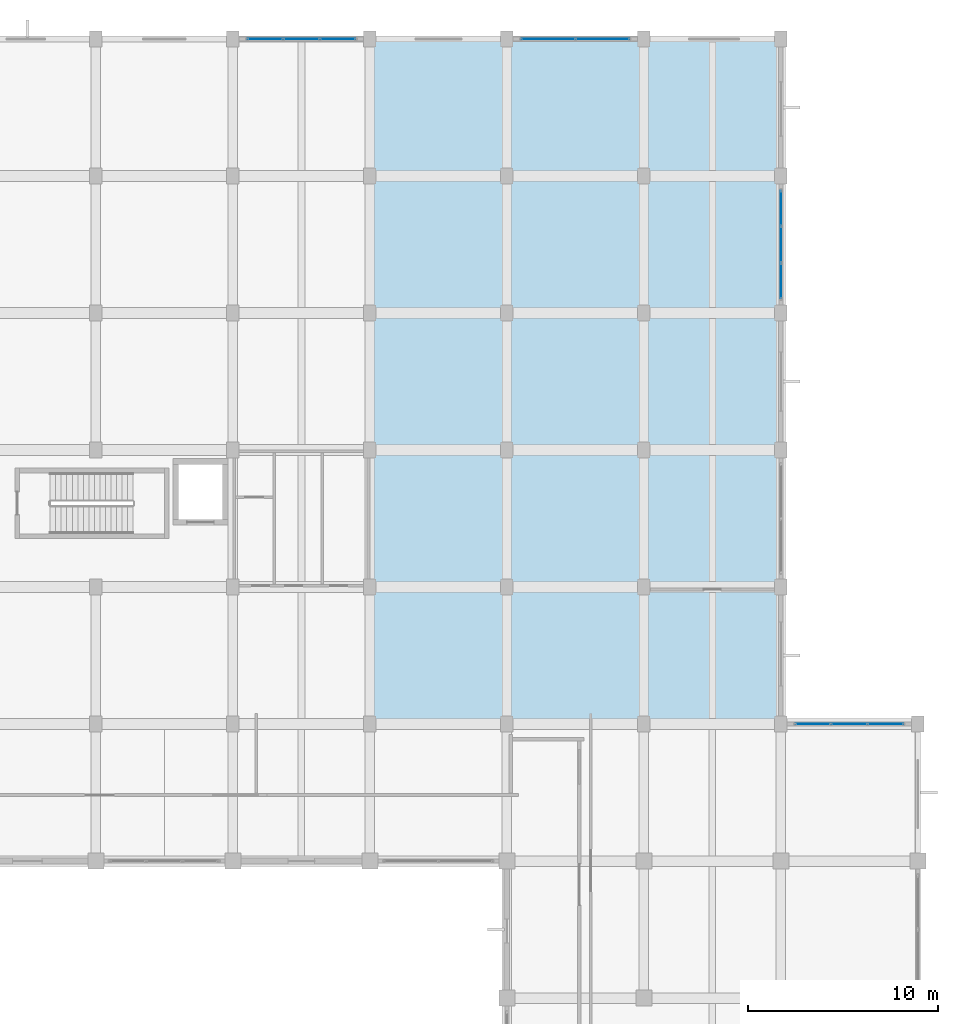
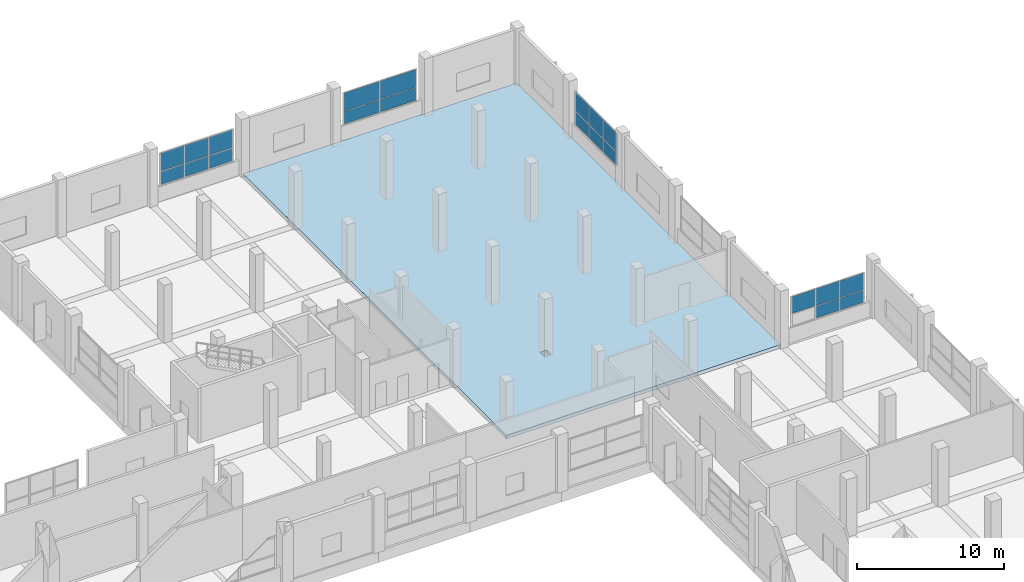
# One storey, part 151 of 181: 21 plates, 1 slab, 4 elements without a shape of their own.
"""IFC4 building model written with IfcOpenShell, lengths in metres."""

import ifcopenshell
import ifcopenshell.guid

model = None  # the IFC model being written
_history = None  # IfcOwnerHistory: only IFC2X3 demands one
_inside = {}  # id of a spatial element -> (the spatial element, [elements in it])
_under = {}  # id of a project, library or spatial element -> (it, [spatial elements below it])
_declared = {}  # id of a project -> (the project, [libraries it declares])
_typed = {}  # id of a type object -> (the type object, [elements of that type])
_made_of = {}  # id of a material, layer set ... -> (it, [elements and type objects made of it])


def new_model(schema):
    """Start an empty IFC model of exactly this schema.

    Asked for "IFC4X3", IfcOpenShell would pick the latest addendum, in which some entities
    have other attributes; the version numbers below select the first issue.
    IFC2X3 requires an IfcOwnerHistory on every rooted entity: one is made here for all.
    """
    global model, _history
    if schema == "IFC4X3":
        model = ifcopenshell.file(schema_version=(4, 3, 0, 0))
    else:
        model = ifcopenshell.file(schema=schema)
    _inside.clear()
    _under.clear()
    _declared.clear()
    _typed.clear()
    _made_of.clear()
    _history = None
    if model.schema == "IFC2X3":
        org = make("IfcOrganization", Name="unknown")
        user = make(
            "IfcPersonAndOrganization",
            ThePerson=make("IfcPerson", FamilyName="unknown"),
            TheOrganization=org,
        )
        app = make(
            "IfcApplication",
            ApplicationDeveloper=org,
            Version="unknown",
            ApplicationFullName="unknown",
            ApplicationIdentifier="unknown",
        )
        _history = make(
            "IfcOwnerHistory",
            OwningUser=user,
            OwningApplication=app,
            ChangeAction="ADDED",
            CreationDate=0,
        )
    return model


def make(cls, **values):
    """One entity of the class cls with the attributes given. An attribute that is None is left unset."""
    return model.create_entity(
        cls, **{name: value for name, value in values.items() if value is not None}
    )


def rooted(cls, **values):
    """An entity with a GlobalId (a new one), such as an element, a storey or a relation."""
    return make(cls, GlobalId=ifcopenshell.guid.new(), OwnerHistory=_history, **values)


def si_unit(unit_type, name, prefix=None):
    """IfcSIUnit, for example si_unit("LENGTHUNIT", "METRE", prefix="MILLI")."""
    return make("IfcSIUnit", UnitType=unit_type, Prefix=prefix, Name=name)


def assignment(units):
    """IfcUnitAssignment: the units of a project."""
    return None if units is None else make("IfcUnitAssignment", Units=units)


def point(xyz):
    """IfcCartesianPoint."""
    return None if xyz is None else make("IfcCartesianPoint", Coordinates=xyz)


def direction(xyz):
    """IfcDirection."""
    return None if xyz is None else make("IfcDirection", DirectionRatios=xyz)


def frame(location, z_axis=None, x_axis=None):
    """IfcAxis2Placement3D, a coordinate frame: its origin and axes. An axis left out is left unset."""
    return make(
        "IfcAxis2Placement3D",
        Location=point(location),
        Axis=direction(z_axis),
        RefDirection=direction(x_axis),
    )


def frame_2d(location, x_axis=None):
    """IfcAxis2Placement2D, a coordinate frame in the plane: its origin and x axis."""
    return make(
        "IfcAxis2Placement2D", Location=point(location), RefDirection=direction(x_axis)
    )


def origin():
    """The frame at (0, 0, 0) with its axes left unset."""
    return frame((0.0, 0.0, 0.0))


def origin_2d():
    """The frame at (0, 0) in the plane with its x axis left unset."""
    return frame_2d((0.0, 0.0))


def place(relative_to, where):
    """IfcLocalPlacement: puts the frame where relative to a parent placement (None: the world)."""
    return make(
        "IfcLocalPlacement", PlacementRelTo=relative_to, RelativePlacement=where
    )


def context(
    kind, dimensions, precision=None, world=None, true_north=None, identifier=None
):
    """IfcGeometricRepresentationContext, for example the 3D "Model" context."""
    return make(
        "IfcGeometricRepresentationContext",
        ContextIdentifier=identifier,
        ContextType=kind,
        CoordinateSpaceDimension=dimensions,
        Precision=precision,
        WorldCoordinateSystem=world,
        TrueNorth=true_north,
    )


def subcontext(parent, identifier, kind, view, scale=None):
    """IfcGeometricRepresentationSubContext, for example "Body" below "Model"."""
    return make(
        "IfcGeometricRepresentationSubContext",
        ContextIdentifier=identifier,
        ContextType=kind,
        ParentContext=parent,
        TargetScale=scale,
        TargetView=view,
    )


def project(units=None, contexts=None):
    """IfcProject with its units and contexts."""
    return rooted(
        "IfcProject",
        Name="project",
        RepresentationContexts=contexts,
        UnitsInContext=assignment(units),
    )


def spatial(cls, under=None, at=None, **own):
    """A site, building, storey or space (cls), placed at a placement, below another one or the project."""
    s = rooted(cls, ObjectPlacement=at, **own)
    if under is not None:
        _under.setdefault(under.id(), (under, []))[1].append(s)
    return s


def polyline(points):
    """IfcPolyline through the points."""
    return make("IfcPolyline", Points=[point(p) for p in points])


def profile(cls, at=None, kind="AREA", **sizes):
    """A parametric profile (cls). Its sizes go by their IFC names, for example OverallWidth=200.0."""
    return make(cls, ProfileType=kind, Position=at, **sizes)


def rectangle(**sizes):
    """IfcRectangleProfileDef."""
    return profile("IfcRectangleProfileDef", **sizes)


def outline(outer, holes=None, kind="AREA"):
    """IfcArbitraryClosedProfileDef: a profile drawn as a closed curve; with holes, ...WithVoids."""
    if holes is None:
        return make("IfcArbitraryClosedProfileDef", ProfileType=kind, OuterCurve=outer)
    return make(
        "IfcArbitraryProfileDefWithVoids",
        ProfileType=kind,
        OuterCurve=outer,
        InnerCurves=holes,
    )


def extrude(swept, where, along, depth):
    """IfcExtrudedAreaSolid: the profile swept, set in the frame where, extruded along a direction by depth."""
    return make(
        "IfcExtrudedAreaSolid",
        SweptArea=swept,
        Position=where,
        ExtrudedDirection=direction(along),
        Depth=depth,
    )


def shape(context_of_items, identifier, shape_type, items):
    """IfcShapeRepresentation: the items that make up one representation, for example the "Body"."""
    return make(
        "IfcShapeRepresentation",
        ContextOfItems=context_of_items,
        RepresentationIdentifier=identifier,
        RepresentationType=shape_type,
        Items=items,
    )


def material(Name=None, Category=None):
    """IfcMaterial."""
    return make("IfcMaterial", Name=Name, Category=Category)


def layer(
    of_material, thickness, ventilated=None, Name=None, Category=None, Priority=None
):
    """IfcMaterialLayer: one layer of a wall or slab, of a material (None: an air gap)."""
    return make(
        "IfcMaterialLayer",
        Material=of_material,
        LayerThickness=thickness,
        IsVentilated=ventilated,
        Name=Name,
        Category=Category,
        Priority=Priority,
    )


def layer_set(layers, Name=None):
    """IfcMaterialLayerSet."""
    return make("IfcMaterialLayerSet", MaterialLayers=layers, LayerSetName=Name)


def made_of(thing, what):
    """Note that an element or type object is made of a material, layer set ...; save() writes the relation."""
    if what is not None:
        _made_of.setdefault(what.id(), (what, []))[1].append(thing)
    return thing


def type_object(cls, material=None, **own):
    """A type object (cls), such as IfcWallType, which elements share."""
    return made_of(rooted(cls, **own), material)


def element(
    cls,
    number,
    at=None,
    inside=None,
    cuts=None,
    type_object=None,
    material=None,
    context=None,
    identifier="Body",
    shape_type=None,
    held_by="IfcProductDefinitionShape",
    body=None,
    shapes=None,
    **own,
):
    """One element of the class cls, such as IfcWall. Its Tag is "e" and its number.

    at: its placement. inside: the storey or other place that contains it. cuts: it is an
    opening in that element (IfcRelVoidsElement). A single representation is given by context,
    identifier, shape_type and body (its items); several are given by shapes. held_by: the class
    of the entity that holds the representations. save() writes the other relations.
    """
    e = rooted(cls, Tag="e%d" % number, ObjectPlacement=at, **own)
    if body is not None:
        shapes = [shape(context, identifier, shape_type, body)]
    if shapes is not None:
        e.Representation = make(held_by, Representations=shapes)
    if inside is not None:
        _inside.setdefault(inside.id(), (inside, []))[1].append(e)
    if cuts is not None:
        rooted(
            "IfcRelVoidsElement", RelatingBuildingElement=cuts, RelatedOpeningElement=e
        )
    if type_object is not None:
        _typed.setdefault(type_object.id(), (type_object, []))[1].append(e)
    return made_of(e, material)


def aggregate(whole, parts):
    """IfcRelAggregates: a whole, such as a stair, and the parts it consists of."""
    return rooted("IfcRelAggregates", RelatingObject=whole, RelatedObjects=parts)


def save(model, path):
    """Write the relations noted so far, then the file.

    IfcRelAggregates (storeys below a building ...), IfcRelContainedInSpatialStructure (elements
    in a storey), IfcRelDefinesByType, IfcRelAssociatesMaterial and IfcRelDeclares: one each for
    every whole, place, type object, material and project.
    """
    for whole, parts in _under.values():
        aggregate(whole, parts)
    for where, things in _inside.values():
        rooted(
            "IfcRelContainedInSpatialStructure",
            RelatedElements=things,
            RelatingStructure=where,
        )
    for kind, things in _typed.values():
        rooted("IfcRelDefinesByType", RelatedObjects=things, RelatingType=kind)
    for what, things in _made_of.values():
        rooted("IfcRelAssociatesMaterial", RelatedObjects=things, RelatingMaterial=what)
    for by, libraries in _declared.values():
        rooted("IfcRelDeclares", RelatingContext=by, RelatedDefinitions=libraries)
    model.write(path)


model = new_model("IFC4")

# Units and contexts
model_context = context("Model", 3, precision=1e-05, world=origin(), true_north=direction((0.0, 1.0)))
body_context = subcontext(model_context, "Body", "Model", "MODEL_VIEW")
ifc_project = project(units=[si_unit("LENGTHUNIT", "METRE"), si_unit("AREAUNIT", "SQUARE_METRE"), si_unit("VOLUMEUNIT", "CUBIC_METRE"), si_unit("PLANEANGLEUNIT", "RADIAN"), si_unit("MASSUNIT", "GRAM", prefix="KILO")], contexts=[model_context])

# Site, building, storey
site_placement = place(None, origin())
site = spatial("IfcSite", under=ifc_project, at=site_placement, CompositionType="ELEMENT")
building_placement = place(site_placement, origin())
building = spatial("IfcBuilding", under=site, at=building_placement, Name="Seraya Terrace Polytechnic", CompositionType="ELEMENT")
storey_placement = place(building_placement, frame((0.0, 0.0, 4.800048828125)))
storey = spatial("IfcBuildingStorey", under=building, at=storey_placement, Name="L01", CompositionType="ELEMENT", Elevation=4.800048828125)

# Curtain wall, plates
ifc_material_1 = material(Name="Anodised aluminium EN AW-6063 T6", Category="aluminium")
ifc_layer_1 = layer(ifc_material_1, 0.179931640625, Name="CW-19")
ifc_layer_set_1 = layer_set([ifc_layer_1], Name="Anodised aluminium EN AW-6063 T6")
curtain_wall_type_1 = type_object("IfcCurtainWallType", Name="CW-19", PredefinedType="NOTDEFINED", material=ifc_layer_set_1)
curtain_wall_1_placement = place(storey_placement, origin())
curtain_wall_1 = element("IfcCurtainWall", 1, at=curtain_wall_1_placement, inside=storey, type_object=curtain_wall_type_1, Name="Unitised curtain wall CW-19 (CW-L01-019)", PredefinedType="NOTDEFINED")
ifc_material_2 = material(Name="Laminated solar-control Low-E double glazing", Category="glass")
ifc_layer_2 = layer(ifc_material_2, 0.028076171875, Name="CWP-01")
ifc_layer_set_2 = layer_set([ifc_layer_2], Name="Laminated solar-control Low-E double glazing")
plate_type_1 = type_object("IfcPlateType", Name="CWP-01", PredefinedType="CURTAIN_PANEL", material=ifc_layer_set_2)
plate_1_placement = place(storey_placement, frame((158.39990234375, 106.3037109375, 1.2998046875), z_axis=(0.0, 0.0, 1.0), x_axis=(0.0, -1.0, 0.0)))
plate_1 = element("IfcPlate", 2, at=plate_1_placement, type_object=plate_type_1, Name="CW-19 panel 1.1", PredefinedType="CURTAIN_PANEL", context=body_context, shape_type="SweptSolid", body=[
    extrude(rectangle(XDim=1.822509765625, YDim=0.028076171875, at=origin_2d()), origin(), (0.0, 0.0, 1.0), 1.094482421875),
])
plate_2_placement = place(storey_placement, frame((158.39990234375, 106.3037109375, 2.4541015625), z_axis=(0.0, 0.0, 1.0), x_axis=(0.0, -1.0, 0.0)))
plate_2 = element("IfcPlate", 3, at=plate_2_placement, type_object=plate_type_1, Name="CW-19 panel 1.2", PredefinedType="CURTAIN_PANEL", context=body_context, shape_type="SweptSolid", body=[
    extrude(rectangle(XDim=1.822509765625, YDim=0.028076171875, at=origin_2d()), origin(), (0.0, 0.0, 1.0), 1.545654296875),
])
plate_3_placement = place(storey_placement, frame((158.39990234375, 104.39990234375, 1.2998046875), z_axis=(0.0, 0.0, 1.0), x_axis=(0.0, -1.0, 0.0)))
plate_3 = element("IfcPlate", 4, at=plate_3_placement, type_object=plate_type_1, Name="CW-19 panel 2.1", PredefinedType="CURTAIN_PANEL", context=body_context, shape_type="SweptSolid", body=[
    extrude(rectangle(XDim=1.85498046875, YDim=0.028076171875, at=origin_2d()), origin(), (0.0, 0.0, 1.0), 1.094482421875),
])
plate_4_placement = place(storey_placement, frame((158.39990234375, 104.39990234375, 2.4541015625), z_axis=(0.0, 0.0, 1.0), x_axis=(0.0, -1.0, 0.0)))
plate_4 = element("IfcPlate", 5, at=plate_4_placement, type_object=plate_type_1, Name="CW-19 panel 2.2", PredefinedType="CURTAIN_PANEL", context=body_context, shape_type="SweptSolid", body=[
    extrude(rectangle(XDim=1.85498046875, YDim=0.028076171875, at=origin_2d()), origin(), (0.0, 0.0, 1.0), 1.545654296875),
])
plate_5_placement = place(storey_placement, frame((158.39990234375, 102.496337890625, 1.2998046875), z_axis=(0.0, 0.0, 1.0), x_axis=(0.0, -1.0, 0.0)))
plate_5 = element("IfcPlate", 6, at=plate_5_placement, type_object=plate_type_1, Name="CW-19 panel 3.1", PredefinedType="CURTAIN_PANEL", context=body_context, shape_type="SweptSolid", body=[
    extrude(rectangle(XDim=1.822509765625, YDim=0.028076171875, at=origin_2d()), origin(), (0.0, 0.0, 1.0), 1.094482421875),
])
plate_6_placement = place(storey_placement, frame((158.39990234375, 102.496337890625, 2.4541015625), z_axis=(0.0, 0.0, 1.0), x_axis=(0.0, -1.0, 0.0)))
plate_6 = element("IfcPlate", 7, at=plate_6_placement, type_object=plate_type_1, Name="CW-19 panel 3.2", PredefinedType="CURTAIN_PANEL", context=body_context, shape_type="SweptSolid", body=[
    extrude(rectangle(XDim=1.822509765625, YDim=0.028076171875, at=origin_2d()), origin(), (0.0, 0.0, 1.0), 1.545654296875),
])
aggregate(curtain_wall_1, [plate_1, plate_2, plate_3, plate_4, plate_5, plate_6])

ifc_layer_3 = layer(ifc_material_1, 0.179931640625, Name="CW-17")
ifc_layer_set_3 = layer_set([ifc_layer_3], Name="Anodised aluminium EN AW-6063 T6")
curtain_wall_type_2 = type_object("IfcCurtainWallType", Name="CW-17", PredefinedType="NOTDEFINED", material=ifc_layer_set_3)
curtain_wall_2_placement = place(storey_placement, origin())
curtain_wall_2 = element("IfcCurtainWall", 8, at=curtain_wall_2_placement, inside=storey, type_object=curtain_wall_type_2, Name="Unitised curtain wall CW-17 (CW-L01-017)", PredefinedType="NOTDEFINED")
ifc_layer_4 = layer(ifc_material_2, 0.031982421875, Name="CWP-02")
ifc_layer_set_4 = layer_set([ifc_layer_4], Name="Laminated solar-control Low-E double glazing")
plate_type_2 = type_object("IfcPlateType", Name="CWP-02", PredefinedType="CURTAIN_PANEL", material=ifc_layer_set_4)
plate_7_placement = place(storey_placement, frame((131.294921875, 115.199951171875, 1.2998046875), z_axis=(0.0, 0.0, 1.0), x_axis=(1.0, 0.0, 0.0)))
plate_7 = element("IfcPlate", 9, at=plate_7_placement, type_object=plate_type_2, Name="CW-17 panel 1.1", PredefinedType="CURTAIN_PANEL", context=body_context, shape_type="SweptSolid", body=[
    extrude(rectangle(XDim=1.830078125, YDim=0.031982421875, at=origin_2d()), origin(), (0.0, 0.0, 1.0), 1.052490234375),
])
plate_8_placement = place(storey_placement, frame((131.294921875, 115.199951171875, 2.41259765625), z_axis=(0.0, 0.0, 1.0), x_axis=(1.0, 0.0, 0.0)))
plate_8 = element("IfcPlate", 10, at=plate_8_placement, type_object=plate_type_2, Name="CW-17 panel 1.2", PredefinedType="CURTAIN_PANEL", context=body_context, shape_type="SweptSolid", body=[
    extrude(rectangle(XDim=1.830078125, YDim=0.031982421875, at=origin_2d()), origin(), (0.0, 0.0, 1.0), 1.487548828125),
])
plate_9_placement = place(storey_placement, frame((133.199951171875, 115.199951171875, 1.2998046875), z_axis=(0.0, 0.0, 1.0), x_axis=(1.0, 0.0, 0.0)))
plate_9 = element("IfcPlate", 11, at=plate_9_placement, type_object=plate_type_2, Name="CW-17 panel 2.1", PredefinedType="CURTAIN_PANEL", context=body_context, shape_type="SweptSolid", body=[
    extrude(rectangle(XDim=1.860107421875, YDim=0.031982421875, at=origin_2d()), origin(), (0.0, 0.0, 1.0), 1.052490234375),
])
plate_10_placement = place(storey_placement, frame((133.199951171875, 115.199951171875, 2.41259765625), z_axis=(0.0, 0.0, 1.0), x_axis=(1.0, 0.0, 0.0)))
plate_10 = element("IfcPlate", 12, at=plate_10_placement, type_object=plate_type_2, Name="CW-17 panel 2.2", PredefinedType="CURTAIN_PANEL", context=body_context, shape_type="SweptSolid", body=[
    extrude(rectangle(XDim=1.860107421875, YDim=0.031982421875, at=origin_2d()), origin(), (0.0, 0.0, 1.0), 1.487548828125),
])
plate_11_placement = place(storey_placement, frame((135.10498046875, 115.199951171875, 1.2998046875), z_axis=(0.0, 0.0, 1.0), x_axis=(1.0, 0.0, 0.0)))
plate_11 = element("IfcPlate", 13, at=plate_11_placement, type_object=plate_type_2, Name="CW-17 panel 3.1", PredefinedType="CURTAIN_PANEL", context=body_context, shape_type="SweptSolid", body=[
    extrude(rectangle(XDim=1.830078125, YDim=0.031982421875, at=origin_2d()), origin(), (0.0, 0.0, 1.0), 1.052490234375),
])
plate_12_placement = place(storey_placement, frame((135.10498046875, 115.199951171875, 2.41259765625), z_axis=(0.0, 0.0, 1.0), x_axis=(1.0, 0.0, 0.0)))
plate_12 = element("IfcPlate", 14, at=plate_12_placement, type_object=plate_type_2, Name="CW-17 panel 3.2", PredefinedType="CURTAIN_PANEL", context=body_context, shape_type="SweptSolid", body=[
    extrude(rectangle(XDim=1.830078125, YDim=0.031982421875, at=origin_2d()), origin(), (0.0, 0.0, 1.0), 1.487548828125),
])
aggregate(curtain_wall_2, [plate_7, plate_8, plate_9, plate_10, plate_11, plate_12])

ifc_layer_5 = layer(ifc_material_1, 0.179931640625, Name="CW-18")
ifc_layer_set_5 = layer_set([ifc_layer_5], Name="Anodised aluminium EN AW-6063 T6")
curtain_wall_type_3 = type_object("IfcCurtainWallType", Name="CW-18", PredefinedType="NOTDEFINED", material=ifc_layer_set_5)
curtain_wall_3_placement = place(storey_placement, origin())
curtain_wall_3 = element("IfcCurtainWall", 15, at=curtain_wall_3_placement, inside=storey, type_object=curtain_wall_type_3, Name="Unitised curtain wall CW-18 (CW-L01-018)", PredefinedType="NOTDEFINED")
ifc_layer_6 = layer(ifc_material_2, 0.035888671875, Name="CWP-03")
ifc_layer_set_6 = layer_set([ifc_layer_6], Name="Laminated solar-control Low-E double glazing")
plate_type_3 = type_object("IfcPlateType", Name="CWP-03", PredefinedType="CURTAIN_PANEL", material=ifc_layer_set_6)
plate_13_placement = place(storey_placement, frame((146.175048828125, 115.199951171875, 1.294921875), z_axis=(0.0, 0.0, 1.0), x_axis=(1.0, 0.0, 0.0)))
plate_13 = element("IfcPlate", 16, at=plate_13_placement, type_object=plate_type_3, Name="CW-18 panel 1.1", PredefinedType="CURTAIN_PANEL", context=body_context, shape_type="SweptSolid", body=[
    extrude(rectangle(XDim=2.7900390625, YDim=0.035888671875, at=origin_2d()), origin(), (0.0, 0.0, 1.0), 1.043212890625),
])
plate_14_placement = place(storey_placement, frame((146.175048828125, 115.199951171875, 2.39306640625), z_axis=(0.0, 0.0, 1.0), x_axis=(1.0, 0.0, 0.0)))
plate_14 = element("IfcPlate", 17, at=plate_14_placement, type_object=plate_type_3, Name="CW-18 panel 1.2", PredefinedType="CURTAIN_PANEL", context=body_context, shape_type="SweptSolid", body=[
    extrude(rectangle(XDim=2.7900390625, YDim=0.035888671875, at=origin_2d()), origin(), (0.0, 0.0, 1.0), 1.471923828125),
])
plate_15_placement = place(storey_placement, frame((149.02490234375, 115.199951171875, 1.294921875), z_axis=(0.0, 0.0, 1.0), x_axis=(1.0, 0.0, 0.0)))
plate_15 = element("IfcPlate", 18, at=plate_15_placement, type_object=plate_type_3, Name="CW-18 panel 2.1", PredefinedType="CURTAIN_PANEL", context=body_context, shape_type="SweptSolid", body=[
    extrude(rectangle(XDim=2.7900390625, YDim=0.035888671875, at=origin_2d()), origin(), (0.0, 0.0, 1.0), 1.043212890625),
])
plate_16_placement = place(storey_placement, frame((149.02490234375, 115.199951171875, 2.39306640625), z_axis=(0.0, 0.0, 1.0), x_axis=(1.0, 0.0, 0.0)))
plate_16 = element("IfcPlate", 19, at=plate_16_placement, type_object=plate_type_3, Name="CW-18 panel 2.2", PredefinedType="CURTAIN_PANEL", context=body_context, shape_type="SweptSolid", body=[
    extrude(rectangle(XDim=2.7900390625, YDim=0.035888671875, at=origin_2d()), origin(), (0.0, 0.0, 1.0), 1.471923828125),
])
aggregate(curtain_wall_3, [plate_13, plate_14, plate_15, plate_16])

ifc_layer_7 = layer(ifc_material_1, 0.179931640625, Name="CW-21")
ifc_layer_set_7 = layer_set([ifc_layer_7], Name="Anodised aluminium EN AW-6063 T6")
curtain_wall_type_4 = type_object("IfcCurtainWallType", Name="CW-21", PredefinedType="NOTDEFINED", material=ifc_layer_set_7)
curtain_wall_4_placement = place(storey_placement, origin())
curtain_wall_4 = element("IfcCurtainWall", 20, at=curtain_wall_4_placement, inside=storey, type_object=curtain_wall_type_4, Name="Unitised curtain wall CW-21 (CW-L01-021)", PredefinedType="NOTDEFINED")
plate_17_placement = place(storey_placement, frame((160.094970703125, 79.199951171875, 2.334228515625), z_axis=(0.0, 0.0, 1.0), x_axis=(1.0, 0.0, 0.0)))
plate_17 = element("IfcPlate", 21, at=plate_17_placement, type_object=plate_type_3, Name="CW-21 panel 1.2", PredefinedType="CURTAIN_PANEL", context=body_context, shape_type="SweptSolid", body=[
    extrude(rectangle(XDim=1.830078125, YDim=0.035888671875, at=origin_2d()), origin(), (0.0, 0.0, 1.0), 1.390625),
])
plate_18_placement = place(storey_placement, frame((162.0, 79.199951171875, 1.294921875), z_axis=(0.0, 0.0, 1.0), x_axis=(1.0, 0.0, 0.0)))
plate_18 = element("IfcPlate", 22, at=plate_18_placement, type_object=plate_type_3, Name="CW-21 panel 2.1", PredefinedType="CURTAIN_PANEL", context=body_context, shape_type="SweptSolid", body=[
    extrude(rectangle(XDim=1.860107421875, YDim=0.035888671875, at=origin_2d()), origin(), (0.0, 0.0, 1.0), 0.984375),
])
plate_19_placement = place(storey_placement, frame((162.0, 79.199951171875, 2.334228515625), z_axis=(0.0, 0.0, 1.0), x_axis=(1.0, 0.0, 0.0)))
plate_19 = element("IfcPlate", 23, at=plate_19_placement, type_object=plate_type_3, Name="CW-21 panel 2.2", PredefinedType="CURTAIN_PANEL", context=body_context, shape_type="SweptSolid", body=[
    extrude(rectangle(XDim=1.860107421875, YDim=0.035888671875, at=origin_2d()), origin(), (0.0, 0.0, 1.0), 1.390625),
])
plate_20_placement = place(storey_placement, frame((163.905029296875, 79.199951171875, 1.294921875), z_axis=(0.0, 0.0, 1.0), x_axis=(1.0, 0.0, 0.0)))
plate_20 = element("IfcPlate", 24, at=plate_20_placement, type_object=plate_type_3, Name="CW-21 panel 3.1", PredefinedType="CURTAIN_PANEL", context=body_context, shape_type="SweptSolid", body=[
    extrude(rectangle(XDim=1.830078125, YDim=0.035888671875, at=origin_2d()), origin(), (0.0, 0.0, 1.0), 0.984375),
])
plate_21_placement = place(storey_placement, frame((163.905029296875, 79.199951171875, 2.334228515625), z_axis=(0.0, 0.0, 1.0), x_axis=(1.0, 0.0, 0.0)))
plate_21 = element("IfcPlate", 25, at=plate_21_placement, type_object=plate_type_3, Name="CW-21 panel 3.2", PredefinedType="CURTAIN_PANEL", context=body_context, shape_type="SweptSolid", body=[
    extrude(rectangle(XDim=1.830078125, YDim=0.035888671875, at=origin_2d()), origin(), (0.0, 0.0, 1.0), 1.390625),
])
aggregate(curtain_wall_4, [plate_17, plate_18, plate_19, plate_20, plate_21])

# Slab
ifc_material_3 = material(Name="Concrete C40/50", Category="concrete")
ifc_layer_8 = layer(ifc_material_3, 0.2900390625, Name="FS-01")
ifc_layer_set_8 = layer_set([ifc_layer_8], Name="Concrete C40/50")
slab_type = type_object("IfcSlabType", Name="FS-01", PredefinedType="FLOOR", material=ifc_layer_set_8)
slab_placement = place(storey_placement, frame((0.0, 0.0, -0.2900390625)))
element("IfcSlab", 26, at=slab_placement, inside=storey, type_object=slab_type, Name="Floor slab SLB-V1-ANNEX-L01-S2 (FS-01)", PredefinedType="FLOOR", context=body_context, shape_type="SweptSolid", body=[
    extrude(outline(polyline([(158.340087890625, 115.139892578125), (158.340087890625, 79.260009765625), (136.804931640625, 79.260009765625), (136.804931640625, 115.139892578125), (158.340087890625, 115.139892578125)]), holes=[polyline([(143.75, 86.64990234375), (143.75, 86.14990234375), (144.25, 86.14990234375), (144.25, 86.64990234375), (143.75, 86.64990234375)])]), origin(), (0.0, 0.0, 1.0), 0.2900390625),
])

save(model, "model.ifc")
